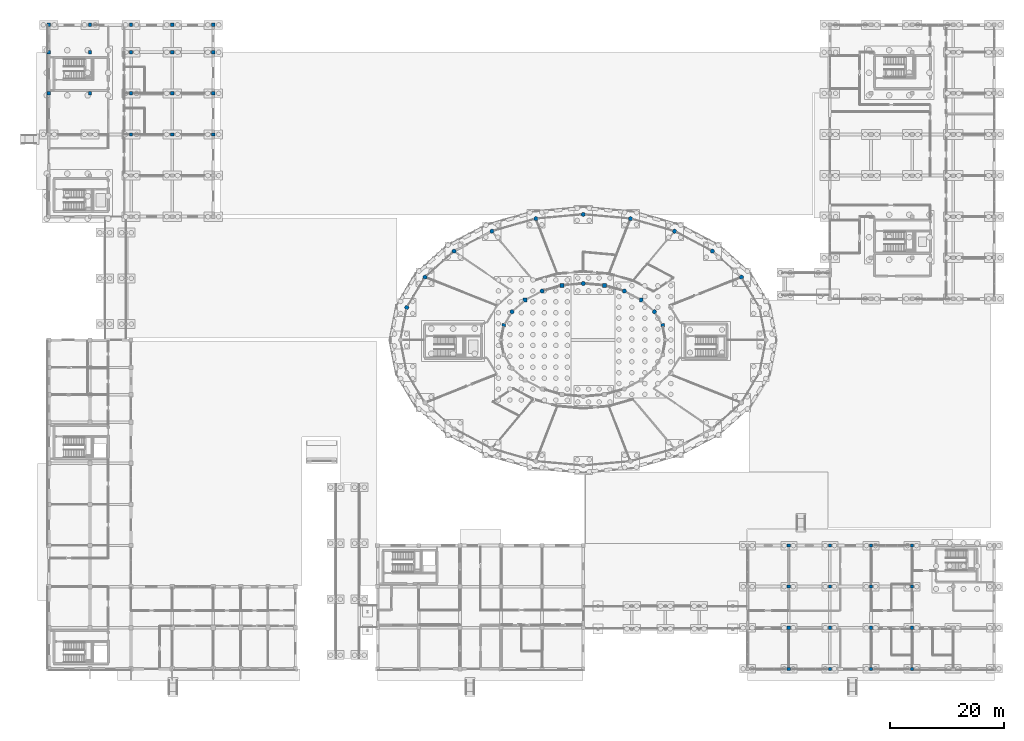
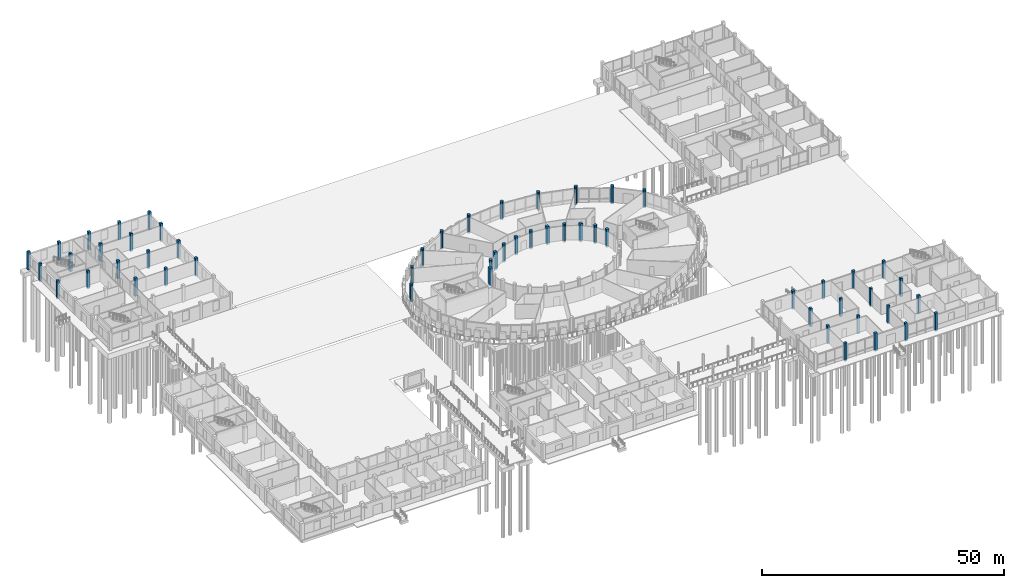
# One storey, part 13 of 98: 55 columns.
"""IFC4 building model written with IfcOpenShell, lengths in metres."""

from ifc_helpers import new_model, si_unit, direction, frame, origin, origin_2d, place, context, subcontext, project, spatial, rectangle, circle, extrude, material, material_profile, profile_set, type_object, element, save


model = new_model("IFC4")

# Units and contexts
model_context = context("Model", 3, precision=1e-05, world=origin(), true_north=direction((0.0, 1.0)))
body_context = subcontext(model_context, "Body", "Model", "MODEL_VIEW")
ifc_project = project(units=[si_unit("LENGTHUNIT", "METRE"), si_unit("AREAUNIT", "SQUARE_METRE"), si_unit("VOLUMEUNIT", "CUBIC_METRE"), si_unit("PLANEANGLEUNIT", "RADIAN"), si_unit("MASSUNIT", "GRAM", prefix="KILO")], contexts=[model_context])

# Site, building, storey
site_placement = place(None, origin())
site = spatial("IfcSite", under=ifc_project, at=site_placement, CompositionType="ELEMENT")
building_placement = place(site_placement, origin())
building = spatial("IfcBuilding", under=site, at=building_placement, Name="Zornivar Specialist Clinic", CompositionType="ELEMENT")
storey_placement = place(building_placement, origin())
storey = spatial("IfcBuildingStorey", under=building, at=storey_placement, Name="L00", CompositionType="ELEMENT", Elevation=0.0)

# Columns
ifc_material_1 = material(Name="Concrete C35/45", Category="concrete")
ifc_material_profile_1 = material_profile(ifc_material_1, rectangle(XDim=0.550048828125, YDim=0.550048828125, at=origin_2d()), Name="RC 550x550")
ifc_profile_set_1 = profile_set([ifc_material_profile_1], Name="Concrete C35/45")
column_type_1 = type_object("IfcColumnType", Name="COL-RC-550", PredefinedType="COLUMN", material=ifc_profile_set_1)
for number, where, z_axis, x_axis, name in (
    (1, (129.60009765625, 0.0, -0.35009765625), (0.0, 0.0, 1.0), (1.0, 0.0, 0.0), "col:V4:L00:1296_0"),
    (2, (129.60009765625, 7.199951171875, -0.35009765625), (0.0, 0.0, 1.0), (1.0, 0.0, 0.0), "col:V4:L00:1296_72"),
    (3, (129.60009765625, 14.39990234375, -0.35009765625), (0.0, 0.0, 1.0), (1.0, 0.0, 0.0), "col:V4:L00:1296_144"),
    (4, (129.60009765625, 21.60009765625, -0.35009765625), (0.0, 0.0, 1.0), (1.0, 0.0, 0.0), "col:V4:L00:1296_216"),
    (5, (136.800048828125, 0.0, -0.35009765625), (0.0, 0.0, 1.0), (1.0, 0.0, 0.0), "col:V4:L00:1368_0"),
    (6, (136.800048828125, 7.199951171875, -0.35009765625), (0.0, 0.0, 1.0), (1.0, 0.0, 0.0), "col:V4:L00:1368_72"),
    (7, (136.800048828125, 14.39990234375, -0.35009765625), (0.0, 0.0, 1.0), (1.0, 0.0, 0.0), "col:V4:L00:1368_144"),
    (8, (136.800048828125, 21.60009765625, -0.35009765625), (0.0, 0.0, 1.0), (1.0, 0.0, 0.0), "col:V4:L00:1368_216"),
    (9, (144.0, 0.0, -0.35009765625), (0.0, 0.0, 1.0), (1.0, 0.0, 0.0), "col:V4:L00:1440_0"),
    (10, (144.0, 7.199951171875, -0.35009765625), (0.0, 0.0, 1.0), (1.0, 0.0, 0.0), "col:V4:L00:1440_72"),
    (11, (144.0, 14.39990234375, -0.35009765625), (0.0, 0.0, 1.0), (1.0, 0.0, 0.0), "col:V4:L00:1440_144"),
    (12, (144.0, 21.60009765625, -0.35009765625), (0.0, 0.0, 1.0), (1.0, 0.0, 0.0), "col:V4:L00:1440_216"),
    (13, (151.199951171875, 0.0, -0.35009765625), (0.0, 0.0, 1.0), (1.0, 0.0, 0.0), "col:V4:L00:1512_0"),
    (14, (151.199951171875, 7.199951171875, -0.35009765625), (0.0, 0.0, 1.0), (1.0, 0.0, 0.0), "col:V4:L00:1512_72"),
    (15, (151.199951171875, 14.39990234375, -0.35009765625), (0.0, 0.0, 1.0), (1.0, 0.0, 0.0), "col:V4:L00:1512_144"),
    (16, (151.199951171875, 21.60009765625, -0.35009765625), (0.0, 0.0, 1.0), (1.0, 0.0, 0.0), "col:V4:L00:1512_216"),
):
    element("IfcColumn", number, at=place(storey_placement, frame(where, z_axis=z_axis, x_axis=x_axis)), inside=storey, type_object=column_type_1, Name=name, PredefinedType="COLUMN", context=body_context, shape_type="SweptSolid", body=[
        extrude(rectangle(XDim=0.550048828125, YDim=0.550048828125, at=origin_2d()), origin(), (0.0, 0.0, 1.0), 4.590087890625),
    ])
ifc_material_2 = material(Name="Concrete C35/45", Category="concrete")
ifc_material_profile_2 = material_profile(ifc_material_2, rectangle(XDim=0.580078125, YDim=0.580078125, at=origin_2d()), Name="RC 580x580")
ifc_profile_set_2 = profile_set([ifc_material_profile_2], Name="Concrete C35/45")
column_type_2 = type_object("IfcColumnType", Name="COL-RC-580", PredefinedType="COLUMN", material=ifc_profile_set_2)
for number, where, z_axis, x_axis, name in (
    (17, (0.0, 100.800048828125, -0.3798828125), (0.0, 0.0, 1.0), (1.0, 0.0, 0.0), "col:V5:L00:0_1008"),
    (18, (0.0, 108.0, -0.3798828125), (0.0, 0.0, 1.0), (1.0, 0.0, 0.0), "col:V5:L00:0_1080"),
    (19, (0.0, 112.800048828125, -0.3798828125), (0.0, 0.0, 1.0), (1.0, 0.0, 0.0), "col:V5:L00:0_1128"),
    (20, (7.199951171875, 100.800048828125, -0.3798828125), (0.0, 0.0, 1.0), (1.0, 0.0, 0.0), "col:V5:L00:72_1008"),
    (21, (7.199951171875, 108.0, -0.3798828125), (0.0, 0.0, 1.0), (1.0, 0.0, 0.0), "col:V5:L00:72_1080"),
    (22, (7.199951171875, 112.800048828125, -0.3798828125), (0.0, 0.0, 1.0), (1.0, 0.0, 0.0), "col:V5:L00:72_1128"),
    (23, (14.39990234375, 93.60009765625, -0.3798828125), (0.0, 0.0, 1.0), (1.0, 0.0, 0.0), "col:V5:L00:144_936"),
    (24, (14.39990234375, 100.800048828125, -0.3798828125), (0.0, 0.0, 1.0), (1.0, 0.0, 0.0), "col:V5:L00:144_1008"),
    (25, (14.39990234375, 108.0, -0.3798828125), (0.0, 0.0, 1.0), (1.0, 0.0, 0.0), "col:V5:L00:144_1080"),
    (26, (14.39990234375, 112.800048828125, -0.3798828125), (0.0, 0.0, 1.0), (1.0, 0.0, 0.0), "col:V5:L00:144_1128"),
    (27, (21.60009765625, 93.60009765625, -0.3798828125), (0.0, 0.0, 1.0), (1.0, 0.0, 0.0), "col:V5:L00:216_936"),
    (28, (21.60009765625, 100.800048828125, -0.3798828125), (0.0, 0.0, 1.0), (1.0, 0.0, 0.0), "col:V5:L00:216_1008"),
    (29, (21.60009765625, 108.0, -0.3798828125), (0.0, 0.0, 1.0), (1.0, 0.0, 0.0), "col:V5:L00:216_1080"),
    (30, (21.60009765625, 112.800048828125, -0.3798828125), (0.0, 0.0, 1.0), (1.0, 0.0, 0.0), "col:V5:L00:216_1128"),
    (31, (28.800048828125, 93.60009765625, -0.3798828125), (0.0, 0.0, 1.0), (1.0, 0.0, 0.0), "col:V5:L00:288_936"),
    (32, (28.800048828125, 100.800048828125, -0.3798828125), (0.0, 0.0, 1.0), (1.0, 0.0, 0.0), "col:V5:L00:288_1008"),
    (33, (28.800048828125, 108.0, -0.3798828125), (0.0, 0.0, 1.0), (1.0, 0.0, 0.0), "col:V5:L00:288_1080"),
    (34, (28.800048828125, 112.800048828125, -0.3798828125), (0.0, 0.0, 1.0), (1.0, 0.0, 0.0), "col:V5:L00:288_1128"),
):
    element("IfcColumn", number, at=place(storey_placement, frame(where, z_axis=z_axis, x_axis=x_axis)), inside=storey, type_object=column_type_2, Name=name, PredefinedType="COLUMN", context=body_context, shape_type="SweptSolid", body=[
        extrude(rectangle(XDim=0.580078125, YDim=0.580078125, at=origin_2d()), origin(), (0.0, 0.0, 1.0), 4.56982421875),
    ])
ifc_material_3 = material(Name="Concrete C35/45", Category="concrete")
ifc_material_profile_3 = material_profile(ifc_material_3, rectangle(XDim=0.64990234375, YDim=0.64990234375, at=origin_2d()), Name="RC 650x650")
ifc_profile_set_3 = profile_set([ifc_material_profile_3], Name="Concrete C35/45")
column_type_3 = type_object("IfcColumnType", Name="COL-RC-650", PredefinedType="COLUMN", material=ifc_profile_set_3)
for number, where, z_axis, x_axis, name in (
    (35, (107.509033203125, 60.162109375, -0.3798828125), (0.0, 0.0, 1.0), (1.0, 0.0, 0.0), "col:V1:L00:in:01"),
    (36, (103.781982421875, 64.60009765625, -0.3798828125), (0.0, 0.0, 1.0), (1.0, 0.0, 0.0), "col:V1:L00:in:03"),
    (37, (97.326904296875, 67.1630859375, -0.3798828125), (0.0, 0.0, 1.0), (1.0, 0.0, 0.0), "col:V1:L00:in:05"),
    (38, (89.873046875, 67.1630859375, -0.3798828125), (0.0, 0.0, 1.0), (1.0, 0.0, 0.0), "col:V1:L00:in:07"),
    (39, (83.41796875, 64.60009765625, -0.3798828125), (0.0, 0.0, 1.0), (1.0, 0.0, 0.0), "col:V1:L00:in:09"),
    (40, (79.69091796875, 60.162109375, -0.3798828125), (0.0, 0.0, 1.0), (1.0, 0.0, 0.0), "col:V1:L00:in:11"),
):
    element("IfcColumn", number, at=place(storey_placement, frame(where, z_axis=z_axis, x_axis=x_axis)), inside=storey, type_object=column_type_3, Name=name, PredefinedType="COLUMN", context=body_context, shape_type="SweptSolid", body=[
        extrude(rectangle(XDim=0.64990234375, YDim=0.64990234375, at=origin_2d()), origin(), (0.0, 0.0, 1.0), 4.58984375),
    ])
ifc_material_4 = material(Name="Concrete C35/45", Category="concrete")
ifc_material_profile_4 = material_profile(ifc_material_4, circle(Radius=0.360107421875, at=origin_2d()), Name="RC D720")
ifc_profile_set_4 = profile_set([ifc_material_profile_4], Name="Concrete C35/45")
column_type_4 = type_object("IfcColumnType", Name="COL-RC-D720", PredefinedType="COLUMN", material=ifc_profile_set_4)
for number, where, z_axis, x_axis, name in (
    (41, (121.31298828125, 68.60009765625, -0.3798828125), (0.0, 0.0, 1.0), (1.0, 0.0, 0.0), "col:V1:L00:out:02"),
    (42, (106.071044921875, 62.550048828125, -0.3798828125), (0.0, 0.0, 1.0), (1.0, 0.0, 0.0), "col:V1:L00:in:02"),
    (43, (116.22705078125, 73.156005859375, -0.3798828125), (0.0, 0.0, 1.0), (1.0, 0.0, 0.0), "col:V1:L00:out:03"),
    (44, (109.60009765625, 76.653076171875, -0.3798828125), (0.0, 0.0, 1.0), (1.0, 0.0, 0.0), "col:V1:L00:out:04"),
    (45, (100.800048828125, 66.174072265625, -0.3798828125), (0.0, 0.0, 1.0), (1.0, 0.0, 0.0), "col:V1:L00:in:04"),
    (46, (101.882080078125, 78.85009765625, -0.3798828125), (0.0, 0.0, 1.0), (1.0, 0.0, 0.0), "col:V1:L00:out:05"),
    (47, (93.60009765625, 79.60009765625, -0.3798828125), (0.0, 0.0, 1.0), (1.0, 0.0, 0.0), "col:V1:L00:out:06"),
    (48, (93.60009765625, 67.5, -0.3798828125), (0.0, 0.0, 1.0), (1.0, 0.0, 0.0), "col:V1:L00:in:06"),
    (49, (85.318115234375, 78.85009765625, -0.3798828125), (0.0, 0.0, 1.0), (1.0, 0.0, 0.0), "col:V1:L00:out:07"),
    (50, (77.60009765625, 76.653076171875, -0.3798828125), (0.0, 0.0, 1.0), (1.0, 0.0, 0.0), "col:V1:L00:out:08"),
    (51, (86.39990234375, 66.174072265625, -0.3798828125), (0.0, 0.0, 1.0), (1.0, 0.0, 0.0), "col:V1:L00:in:08"),
    (52, (70.972900390625, 73.156005859375, -0.3798828125), (0.0, 0.0, 1.0), (1.0, 0.0, 0.0), "col:V1:L00:out:09"),
    (53, (65.886962890625, 68.60009765625, -0.3798828125), (0.0, 0.0, 1.0), (1.0, 0.0, 0.0), "col:V1:L00:out:10"),
    (54, (81.12890625, 62.550048828125, -0.3798828125), (0.0, 0.0, 1.0), (1.0, 0.0, 0.0), "col:V1:L00:in:10"),
    (55, (62.68994140625, 63.2939453125, -0.3798828125), (0.0, 0.0, 1.0), (1.0, 0.0, 0.0), "col:V1:L00:out:11"),
):
    element("IfcColumn", number, at=place(storey_placement, frame(where, z_axis=z_axis, x_axis=x_axis)), inside=storey, type_object=column_type_4, Name=name, PredefinedType="COLUMN", context=body_context, shape_type="SweptSolid", body=[
        extrude(circle(Radius=0.360107421875, at=origin_2d()), origin(), (0.0, 0.0, 1.0), 4.58984375),
    ])

save(model, "model.ifc")
